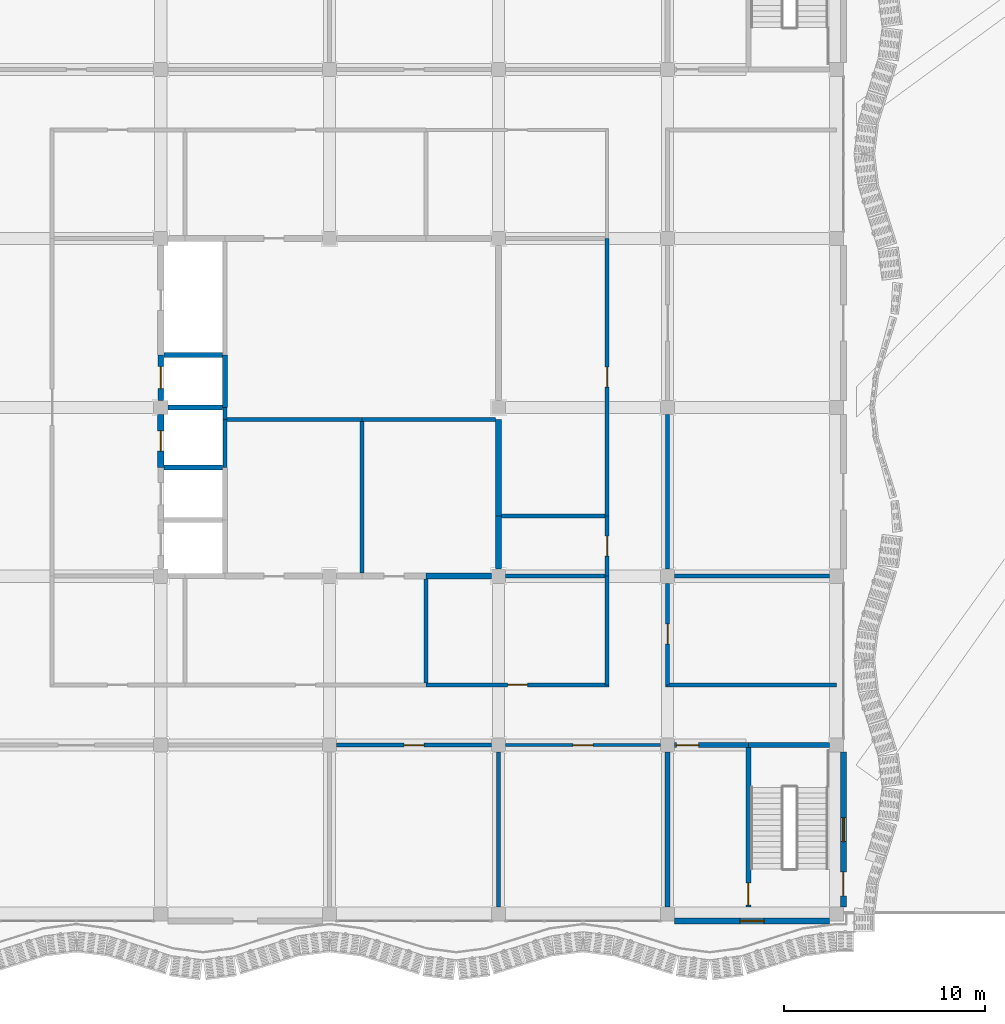
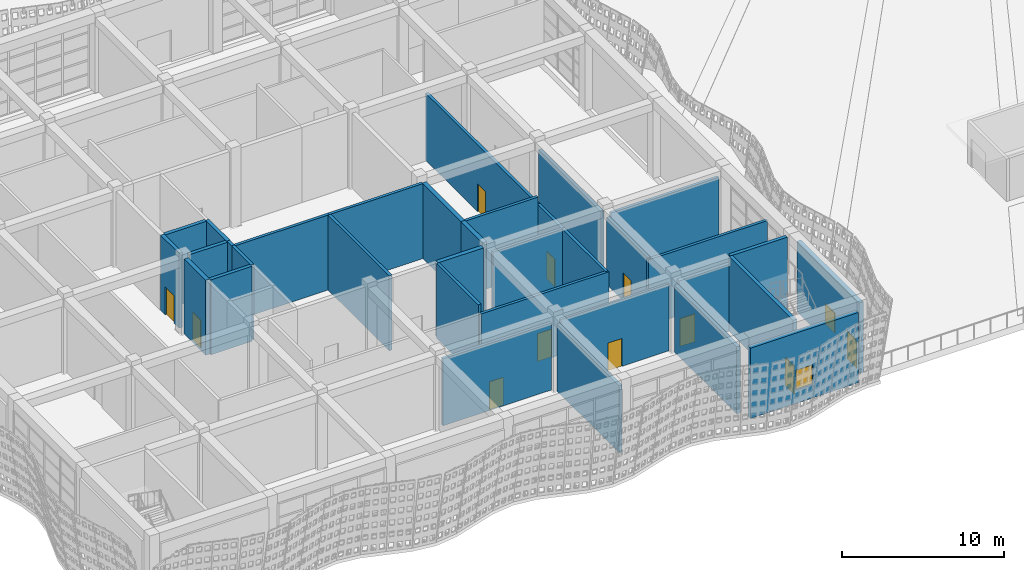
# One storey, part 99 of 210: 34 walls, 11 doors, 2 windows, 13 openings.
"""IFC4 building model written with IfcOpenShell, lengths in metres."""

from ifc_helpers import new_model, si_unit, direction, frame, frame_2d, origin, place, context, subcontext, project, spatial, rectangle, extrude, material, layer, layer_set, type_object, element, fill, save


model = new_model("IFC4")

# Units and contexts
model_context = context("Model", 3, precision=1e-05, world=origin(), true_north=direction((0.0, 1.0)))
body_context = subcontext(model_context, "Body", "Model", "MODEL_VIEW")
ifc_project = project(units=[si_unit("LENGTHUNIT", "METRE"), si_unit("AREAUNIT", "SQUARE_METRE"), si_unit("VOLUMEUNIT", "CUBIC_METRE"), si_unit("PLANEANGLEUNIT", "RADIAN"), si_unit("MASSUNIT", "GRAM", prefix="KILO")], contexts=[model_context])

# Site, building, storey
site_placement = place(None, origin())
site = spatial("IfcSite", under=ifc_project, at=site_placement, CompositionType="ELEMENT")
building_placement = place(site_placement, origin())
building = spatial("IfcBuilding", under=site, at=building_placement, Name="Rain Tree Exposition and Congress Centre", CompositionType="ELEMENT")
storey_placement = place(building_placement, origin())
storey = spatial("IfcBuildingStorey", under=building, at=storey_placement, Name="L00", CompositionType="ELEMENT", Elevation=0.0)

# Wall, opening, door
ifc_material_1 = material(Name="Plasterboard on steel stud", Category="steel")
ifc_layer_1 = layer(ifc_material_1, 0.199951171875)
ifc_layer_set_1 = layer_set([ifc_layer_1], Name="Plasterboard on steel stud")
wall_type_1 = type_object("IfcWallType", Name="Wing acoustic partition 200", PredefinedType="PARTITIONING", material=ifc_layer_set_1)
wall_1_placement = place(storey_placement, frame((30.0, 11.39990234375, 0.0), z_axis=(0.0, 0.0, 1.0), x_axis=(1.0, 0.0, 0.0)))
wall_1 = element("IfcWall", 1, at=wall_1_placement, inside=storey, type_object=wall_type_1, Name="wing/wall/L00/012", PredefinedType="PARTITIONING", context=body_context, shape_type="SweptSolid", body=[
    extrude(rectangle(XDim=9.10009765625, YDim=0.199951171875, at=frame_2d((4.550048828125, 0.0))), origin(), (0.0, 0.0, 1.0), 5.050048828125),
])
opening_1_placement = place(wall_1_placement, frame((4.050048828125, 0.0, 0.0)))
opening_1 = element("IfcOpeningElement", 2, at=opening_1_placement, cuts=wall_1, Name="Opening DW132", PredefinedType="OPENING", context=body_context, shape_type="SweptSolid", body=[
    extrude(rectangle(XDim=1.0, YDim=2.10009765625, at=frame_2d((0.5, 1.050048828125))), frame((0.0, 0.10009765625, 0.0), z_axis=(0.0, -1.0, 0.0), x_axis=(1.0, 0.0, 0.0)), (0.0, 0.0, 1.0), 0.199951171875),
])
ifc_material_2 = material(Name="Timber door leaf", Category="wood")
door_type_1 = type_object("IfcDoorType", Name="Wing door FD30S 1000x2100", OperationType="NOTDEFINED", PredefinedType="DOOR", material=ifc_material_2)
door_1_placement = place(opening_1_placement, origin())
door_1 = element("IfcDoor", 3, at=door_1_placement, inside=storey, type_object=door_type_1, Name="Door DW132", OperationType="SINGLE_SWING_LEFT", OverallHeight=2.10009765625, OverallWidth=1.0, PredefinedType="DOOR", context=body_context, shape_type="SweptSolid", body=[
    extrude(rectangle(XDim=1.0, YDim=2.10009765625, at=frame_2d((0.5, 1.050048828125))), frame((0.0, 0.02490234375, 0.0), z_axis=(0.0, -1.0, 0.0), x_axis=(1.0, 0.0, 0.0)), (0.0, 0.0, 1.0), 0.050048828125),
])
fill(opening_1, door_1)

# Walls
wall_2_placement = place(storey_placement, frame((41.89990234375, 11.39990234375, 0.0), z_axis=(0.0, 0.0, 1.0), x_axis=(1.0, 0.0, 0.0)))
element("IfcWall", 4, at=wall_2_placement, inside=storey, type_object=wall_type_1, Name="wing/wall/L00/013", PredefinedType="PARTITIONING", context=body_context, shape_type="SweptSolid", body=[
    extrude(rectangle(XDim=8.5, YDim=0.199951171875, at=frame_2d((4.25, 0.0))), origin(), (0.0, 0.0, 1.0), 4.949951171875),
])
wall_3_placement = place(storey_placement, frame((33.949951171875, 16.800048828125, 0.0), z_axis=(0.0, 0.0, 1.0), x_axis=(1.0, 0.0, 0.0)))
element("IfcWall", 5, at=wall_3_placement, inside=storey, type_object=wall_type_1, Name="wing/wall/L00/021", PredefinedType="PARTITIONING", context=body_context, shape_type="SweptSolid", body=[
    extrude(rectangle(XDim=4.949951171875, YDim=0.199951171875, at=frame_2d((2.47509765625, 0.0))), origin(), (0.0, 0.0, 1.0), 5.050048828125),
])
wall_4_placement = place(storey_placement, frame((42.35009765625, 16.800048828125, 0.0), z_axis=(0.0, 0.0, 1.0), x_axis=(1.0, 0.0, 0.0)))
element("IfcWall", 6, at=wall_4_placement, inside=storey, type_object=wall_type_1, Name="wing/wall/L00/022", PredefinedType="PARTITIONING", context=body_context, shape_type="SweptSolid", body=[
    extrude(rectangle(XDim=7.699951171875, YDim=0.199951171875, at=frame_2d((3.85009765625, 0.0))), origin(), (0.0, 0.0, 1.0), 5.050048828125),
])
wall_5_placement = place(storey_placement, frame((26.800048828125, 16.949951171875, 0.0), z_axis=(0.0, 0.0, 1.0), x_axis=(0.0, 1.0, 0.0)))
element("IfcWall", 7, at=wall_5_placement, inside=storey, type_object=wall_type_1, Name="wing/wall/L00/077", PredefinedType="PARTITIONING", context=body_context, shape_type="SweptSolid", body=[
    extrude(rectangle(XDim=7.550048828125, YDim=0.199951171875, at=frame_2d((3.77490234375, 0.0))), origin(), (0.0, 0.0, 1.0), 5.64990234375),
])
wall_6_placement = place(storey_placement, frame((30.0, 11.5, 0.0), z_axis=(0.0, 0.0, 1.0), x_axis=(0.0, 1.0, 0.0)))
element("IfcWall", 8, at=wall_6_placement, inside=storey, type_object=wall_type_1, Name="wing/wall/L00/078", PredefinedType="PARTITIONING", context=body_context, shape_type="SweptSolid", body=[
    extrude(rectangle(XDim=5.14990234375, YDim=0.199951171875, at=frame_2d((2.574951171875, 0.0))), origin(), (0.0, 0.0, 1.0), 5.64990234375),
])
wall_7_placement = place(storey_placement, frame((39.0, 11.39990234375, 0.0), z_axis=(0.0, 0.0, 1.0), x_axis=(0.0, 1.0, 0.0)))
element("IfcWall", 9, at=wall_7_placement, inside=storey, type_object=wall_type_1, Name="wing/wall/L00/084", PredefinedType="PARTITIONING", context=body_context, shape_type="SweptSolid", body=[
    extrude(rectangle(XDim=5.400146484375, YDim=0.199951171875, at=frame_2d((2.7001953125, 0.0))), origin(), (0.0, 0.0, 1.0), 5.050048828125),
])

# Wall, opening, door
wall_8_placement = place(storey_placement, frame((39.0, 16.800048828125, 0.0), z_axis=(0.0, 0.0, 1.0), x_axis=(0.0, 1.0, 0.0)))
wall_8 = element("IfcWall", 10, at=wall_8_placement, inside=storey, type_object=wall_type_1, Name="wing/wall/L00/085", PredefinedType="PARTITIONING", context=body_context, shape_type="SweptSolid", body=[
    extrude(rectangle(XDim=3.0, YDim=0.199951171875, at=frame_2d((1.5, 0.0))), origin(), (0.0, 0.0, 1.0), 5.050048828125),
])
opening_2_placement = place(wall_8_placement, frame((1.0, 0.0, 0.0)))
opening_2 = element("IfcOpeningElement", 11, at=opening_2_placement, cuts=wall_8, Name="Opening DW121", PredefinedType="OPENING", context=body_context, shape_type="SweptSolid", body=[
    extrude(rectangle(XDim=1.0, YDim=2.10009765625, at=frame_2d((0.5, 1.050048828125))), frame((0.0, 0.10009765625, 0.0), z_axis=(0.0, -1.0, 0.0), x_axis=(1.0, 0.0, 0.0)), (0.0, 0.0, 1.0), 0.199951171875),
])
door_2_placement = place(opening_2_placement, origin())
door_2 = element("IfcDoor", 12, at=door_2_placement, inside=storey, type_object=door_type_1, Name="Door DW121", OperationType="SINGLE_SWING_LEFT", OverallHeight=2.10009765625, OverallWidth=1.0, PredefinedType="DOOR", context=body_context, shape_type="SweptSolid", body=[
    extrude(rectangle(XDim=1.0, YDim=2.10009765625, at=frame_2d((0.5, 1.050048828125))), frame((0.0, 0.02490234375, 0.0), z_axis=(0.0, -1.0, 0.0), x_axis=(1.0, 0.0, 0.0)), (0.0, 0.0, 1.0), 0.050048828125),
])
fill(opening_2, door_2)

wall_9_placement = place(storey_placement, frame((42.0, 11.39990234375, 0.0), z_axis=(0.0, 0.0, 1.0), x_axis=(0.0, 1.0, 0.0)))
wall_9 = element("IfcWall", 13, at=wall_9_placement, inside=storey, type_object=wall_type_1, Name="wing/wall/L00/089", PredefinedType="PARTITIONING", context=body_context, shape_type="SweptSolid", body=[
    extrude(rectangle(XDim=5.050048828125, YDim=0.199951171875, at=frame_2d((2.52490234375, 0.0))), origin(), (0.0, 0.0, 1.0), 5.050048828125),
])
opening_3_placement = place(wall_9_placement, frame((2.02490234375, 0.0, 0.0)))
opening_3 = element("IfcOpeningElement", 14, at=opening_3_placement, cuts=wall_9, Name="Opening DW125", PredefinedType="OPENING", context=body_context, shape_type="SweptSolid", body=[
    extrude(rectangle(XDim=1.0, YDim=2.10009765625, at=frame_2d((0.5, 1.050048828125))), frame((0.0, 0.10009765625, 0.0), z_axis=(0.0, -1.0, 0.0), x_axis=(1.0, 0.0, 0.0)), (0.0, 0.0, 1.0), 0.199951171875),
])
door_3_placement = place(opening_3_placement, origin())
door_3 = element("IfcDoor", 15, at=door_3_placement, inside=storey, type_object=door_type_1, Name="Door DW125", OperationType="SINGLE_SWING_LEFT", OverallHeight=2.10009765625, OverallWidth=1.0, PredefinedType="DOOR", context=body_context, shape_type="SweptSolid", body=[
    extrude(rectangle(XDim=1.0, YDim=2.10009765625, at=frame_2d((0.5, 1.050048828125))), frame((0.0, 0.02490234375, 0.0), z_axis=(0.0, -1.0, 0.0), x_axis=(1.0, 0.0, 0.0)), (0.0, 0.0, 1.0), 0.050048828125),
])
fill(opening_3, door_3)

# Walls
wall_10_placement = place(storey_placement, frame((42.0, 17.14990234375, 0.0), z_axis=(0.0, 0.0, 1.0), x_axis=(0.0, 1.0, 0.0)))
element("IfcWall", 16, at=wall_10_placement, inside=storey, type_object=wall_type_1, Name="wing/wall/L00/090", PredefinedType="PARTITIONING", context=body_context, shape_type="SweptSolid", body=[
    extrude(rectangle(XDim=7.7001953125, YDim=0.199951171875, at=frame_2d((3.85009765625, 0.0))), origin(), (0.0, 0.0, 1.0), 5.050048828125),
])
ifc_material_3 = material(Name="Concrete C40/50", Category="concrete")
ifc_layer_2 = layer(ifc_material_3, 0.300048828125)
ifc_layer_set_2 = layer_set([ifc_layer_2], Name="Concrete C40/50")
wall_type_2 = type_object("IfcWallType", Name="Wing core wall 300", PredefinedType="SHEAR", material=ifc_layer_set_2)
wall_11_placement = place(storey_placement, frame((30.0, 16.800048828125, 0.0), z_axis=(0.0, 0.0, 1.0), x_axis=(1.0, 0.0, 0.0)))
element("IfcWall", 17, at=wall_11_placement, inside=storey, type_object=wall_type_2, Name="wing/wall/L00/020", PredefinedType="SHEAR", context=body_context, shape_type="SweptSolid", body=[
    extrude(rectangle(XDim=3.25, YDim=0.300048828125, at=frame_2d((1.625, 0.0))), origin(), (0.0, 0.0, 1.0), 5.64990234375),
])

# Wall, opening, door
wall_12_placement = place(storey_placement, frame((16.800048828125, 22.199951171875, 0.0), z_axis=(0.0, 0.0, 1.0), x_axis=(0.0, 1.0, 0.0)))
wall_12 = element("IfcWall", 18, at=wall_12_placement, inside=storey, type_object=wall_type_2, Name="wing/wall/L00/064", PredefinedType="SHEAR", context=body_context, shape_type="SweptSolid", body=[
    extrude(rectangle(XDim=2.650146484375, YDim=0.300048828125, at=frame_2d((1.3251953125, 0.0))), origin(), (0.0, 0.0, 1.0), 5.64990234375),
])
opening_4_placement = place(wall_12_placement, frame((0.824951171875, 0.0, 0.0)))
opening_4 = element("IfcOpeningElement", 19, at=opening_4_placement, cuts=wall_12, Name="Opening DW111", PredefinedType="OPENING", context=body_context, shape_type="SweptSolid", body=[
    extrude(rectangle(XDim=1.0, YDim=2.10009765625, at=frame_2d((0.5, 1.050048828125))), frame((0.0, 0.14990234375, 0.0), z_axis=(0.0, -1.0, 0.0), x_axis=(1.0, 0.0, 0.0)), (0.0, 0.0, 1.0), 0.300048828125),
])
ifc_material_4 = material(Name="Timber door leaf", Category="wood")
door_type_2 = type_object("IfcDoorType", Name="Wing riser access door FD60 1000x2100", OperationType="NOTDEFINED", PredefinedType="DOOR", material=ifc_material_4)
door_4_placement = place(opening_4_placement, origin())
door_4 = element("IfcDoor", 20, at=door_4_placement, inside=storey, type_object=door_type_2, Name="Riser access door DW111", OperationType="SINGLE_SWING_LEFT", OverallHeight=2.10009765625, OverallWidth=1.0, PredefinedType="DOOR", context=body_context, shape_type="SweptSolid", body=[
    extrude(rectangle(XDim=1.0, YDim=2.10009765625, at=frame_2d((0.5, 1.050048828125))), frame((0.0, 0.02490234375, 0.0), z_axis=(0.0, -1.0, 0.0), x_axis=(1.0, 0.0, 0.0)), (0.0, 0.0, 1.0), 0.050048828125),
])
fill(opening_4, door_4)

# Walls
wall_13_placement = place(storey_placement, frame((33.60009765625, 17.14990234375, 0.0), z_axis=(0.0, 0.0, 1.0), x_axis=(0.0, 1.0, 0.0)))
element("IfcWall", 21, at=wall_13_placement, inside=storey, type_object=wall_type_2, Name="wing/wall/L00/081", PredefinedType="SHEAR", context=body_context, shape_type="SweptSolid", body=[
    extrude(rectangle(XDim=2.650146484375, YDim=0.300048828125, at=frame_2d((1.3251953125, 0.0))), origin(), (0.0, 0.0, 1.0), 5.64990234375),
])
wall_14_placement = place(storey_placement, frame((33.60009765625, 19.800048828125, 0.0), z_axis=(0.0, 0.0, 1.0), x_axis=(0.0, 1.0, 0.0)))
element("IfcWall", 22, at=wall_14_placement, inside=storey, type_object=wall_type_2, Name="wing/wall/L00/082", PredefinedType="SHEAR", context=body_context, shape_type="SweptSolid", body=[
    extrude(rectangle(XDim=4.800048828125, YDim=0.300048828125, at=frame_2d((2.39990234375, 0.0))), origin(), (0.0, 0.0, 1.0), 5.64990234375),
])

# Wall, opening, window
ifc_material_5 = material(Name="Insulated cavity wall")
ifc_layer_3 = layer(ifc_material_5, 0.300048828125)
ifc_layer_set_3 = layer_set([ifc_layer_3], Name="Insulated cavity wall")
wall_type_3 = type_object("IfcWallType", Name="Wing external wall 300", PredefinedType="SOLIDWALL", material=ifc_layer_set_3)
wall_15_placement = place(storey_placement, frame((42.35009765625, -0.35009765625, 0.0), z_axis=(0.0, 0.0, 1.0), x_axis=(1.0, 0.0, 0.0)))
wall_15 = element("IfcWall", 23, at=wall_15_placement, inside=storey, type_object=wall_type_3, Name="wing/facade/L00/S5", PredefinedType="SOLIDWALL", context=body_context, shape_type="SweptSolid", body=[
    extrude(rectangle(XDim=7.699951171875, YDim=0.300048828125, at=frame_2d((3.85009765625, 0.0))), origin(), (0.0, 0.0, 1.0), 5.300048828125),
])
opening_5_placement = place(wall_15_placement, frame((3.25, 0.0, 1.0)))
opening_5 = element("IfcOpeningElement", 24, at=opening_5_placement, cuts=wall_15, Name="Opening WW102", PredefinedType="OPENING", context=body_context, shape_type="SweptSolid", body=[
    extrude(rectangle(XDim=1.199951171875, YDim=1.5, at=frame_2d((0.60009765625, 0.75))), frame((0.0, 0.14990234375, 0.0), z_axis=(0.0, -1.0, 0.0), x_axis=(1.0, 0.0, 0.0)), (0.0, 0.0, 1.0), 0.300048828125),
])
ifc_material_6 = material(Name="Aluminium framed glazing", Category="aluminium")
window_type = type_object("IfcWindowType", Name="Wing window 1200x1500", PartitioningType="SINGLE_PANEL", PredefinedType="WINDOW", material=ifc_material_6)
window_1_placement = place(opening_5_placement, origin())
window_1 = element("IfcWindow", 25, at=window_1_placement, inside=storey, type_object=window_type, Name="wing/window/L00/02", OverallHeight=1.5, OverallWidth=1.199951171875, PartitioningType="SINGLE_PANEL", PredefinedType="WINDOW", context=body_context, shape_type="SweptSolid", body=[
    extrude(rectangle(XDim=1.199951171875, YDim=1.5, at=frame_2d((0.60009765625, 0.75))), frame((0.0, 0.030029296875, 0.0), z_axis=(0.0, -1.0, 0.0), x_axis=(1.0, 0.0, 0.0)), (0.0, 0.0, 1.0), 0.06005859375),
])
fill(opening_5, window_1)

# Wall, openings, door, window
wall_16_placement = place(storey_placement, frame((50.75, 0.35009765625, 0.0), z_axis=(0.0, 0.0, 1.0), x_axis=(0.0, 1.0, 0.0)))
wall_16 = element("IfcWall", 26, at=wall_16_placement, inside=storey, type_object=wall_type_3, Name="wing/facade/L00/E0", PredefinedType="SOLIDWALL", context=body_context, shape_type="SweptSolid", body=[
    extrude(rectangle(XDim=7.699951171875, YDim=0.300048828125, at=frame_2d((3.85009765625, 0.0))), origin(), (0.0, 0.0, 1.0), 5.300048828125),
])
opening_6_placement = place(wall_16_placement, frame((3.25, 0.0, 1.0)))
opening_6 = element("IfcOpeningElement", 27, at=opening_6_placement, cuts=wall_16, Name="Opening WW107", PredefinedType="OPENING", context=body_context, shape_type="SweptSolid", body=[
    extrude(rectangle(XDim=1.199951171875, YDim=1.5, at=frame_2d((0.60009765625, 0.75))), frame((0.0, 0.14990234375, 0.0), z_axis=(0.0, -1.0, 0.0), x_axis=(1.0, 0.0, 0.0)), (0.0, 0.0, 1.0), 0.300048828125),
])
opening_7_placement = place(wall_16_placement, frame((0.550048828125, 0.0, 0.0)))
opening_7 = element("IfcOpeningElement", 28, at=opening_7_placement, cuts=wall_16, Name="Opening DW173", PredefinedType="OPENING", context=body_context, shape_type="SweptSolid", body=[
    extrude(rectangle(XDim=1.199951171875, YDim=2.10009765625, at=frame_2d((0.60009765625, 1.050048828125))), frame((0.0, 0.14990234375, 0.0), z_axis=(0.0, -1.0, 0.0), x_axis=(1.0, 0.0, 0.0)), (0.0, 0.0, 1.0), 0.300048828125),
])
ifc_material_7 = material(Name="Steel door leaf", Category="steel")
door_type_3 = type_object("IfcDoorType", Name="Wing exit door 1200x2100", OperationType="NOTDEFINED", PredefinedType="DOOR", material=ifc_material_7)
door_5_placement = place(opening_7_placement, frame((1.199951171875, 0.0, 0.0), z_axis=(0.0, 0.0, 1.0), x_axis=(-1.0, 0.0, 0.0)))
door_5 = element("IfcDoor", 29, at=door_5_placement, inside=storey, type_object=door_type_3, Name="Door DW173", OperationType="SINGLE_SWING_RIGHT", OverallHeight=2.10009765625, OverallWidth=1.199951171875, PredefinedType="DOOR", context=body_context, shape_type="SweptSolid", body=[
    extrude(rectangle(XDim=1.199951171875, YDim=2.10009765625, at=frame_2d((0.60009765625, 1.050048828125))), frame((0.0, 0.02490234375, 0.0), z_axis=(0.0, -1.0, 0.0), x_axis=(1.0, 0.0, 0.0)), (0.0, 0.0, 1.0), 0.050048828125),
])
fill(opening_7, door_5)
window_2_placement = place(opening_6_placement, origin())
window_2 = element("IfcWindow", 30, at=window_2_placement, inside=storey, type_object=window_type, Name="wing/window/L00/07", OverallHeight=1.5, OverallWidth=1.199951171875, PartitioningType="SINGLE_PANEL", PredefinedType="WINDOW", context=body_context, shape_type="SweptSolid", body=[
    extrude(rectangle(XDim=1.199951171875, YDim=1.5, at=frame_2d((0.60009765625, 0.75))), frame((0.0, 0.030029296875, 0.0), z_axis=(0.0, -1.0, 0.0), x_axis=(1.0, 0.0, 0.0)), (0.0, 0.0, 1.0), 0.06005859375),
])
fill(opening_6, window_2)

# Wall, opening, door
ifc_material_8 = material(Name="Dense blockwork", Category="masonry")
ifc_layer_4 = layer(ifc_material_8, 0.199951171875)
ifc_layer_set_4 = layer_set([ifc_layer_4], Name="Dense blockwork")
wall_type_4 = type_object("IfcWallType", Name="Wing kitchen wall 200", PredefinedType="SOLIDWALL", material=ifc_layer_set_4)
wall_17_placement = place(storey_placement, frame((25.550048828125, 8.39990234375, 0.0), z_axis=(0.0, 0.0, 1.0), x_axis=(1.0, 0.0, 0.0)))
wall_17 = element("IfcWall", 31, at=wall_17_placement, inside=storey, type_object=wall_type_4, Name="wing/wall/L00/005", PredefinedType="SOLIDWALL", context=body_context, shape_type="SweptSolid", body=[
    extrude(rectangle(XDim=7.699951171875, YDim=0.199951171875, at=frame_2d((3.85009765625, 0.0))), origin(), (0.0, 0.0, 1.0), 5.050048828125),
])
opening_8_placement = place(wall_17_placement, frame((3.35009765625, 0.0, 0.0)))
opening_8 = element("IfcOpeningElement", 32, at=opening_8_placement, cuts=wall_17, Name="Opening DW123", PredefinedType="OPENING", context=body_context, shape_type="SweptSolid", body=[
    extrude(rectangle(XDim=1.0, YDim=2.10009765625, at=frame_2d((0.5, 1.050048828125))), frame((0.0, 0.10009765625, 0.0), z_axis=(0.0, -1.0, 0.0), x_axis=(1.0, 0.0, 0.0)), (0.0, 0.0, 1.0), 0.199951171875),
])
ifc_material_9 = material(Name="Timber door leaf", Category="wood")
door_type_4 = type_object("IfcDoorType", Name="Wing door FD60 1000x2100", OperationType="NOTDEFINED", PredefinedType="DOOR", material=ifc_material_9)
door_6_placement = place(opening_8_placement, origin())
door_6 = element("IfcDoor", 33, at=door_6_placement, inside=storey, type_object=door_type_4, Name="Door DW123", OperationType="SINGLE_SWING_LEFT", OverallHeight=2.10009765625, OverallWidth=1.0, PredefinedType="DOOR", context=body_context, shape_type="SweptSolid", body=[
    extrude(rectangle(XDim=1.0, YDim=2.10009765625, at=frame_2d((0.5, 1.050048828125))), frame((0.0, 0.02490234375, 0.0), z_axis=(0.0, -1.0, 0.0), x_axis=(1.0, 0.0, 0.0)), (0.0, 0.0, 1.0), 0.050048828125),
])
fill(opening_8, door_6)

# Walls
wall_18_placement = place(storey_placement, frame((33.75, 19.800048828125, 0.0), z_axis=(0.0, 0.0, 1.0), x_axis=(1.0, 0.0, 0.0)))
element("IfcWall", 34, at=wall_18_placement, inside=storey, type_object=wall_type_4, Name="wing/wall/L00/024", PredefinedType="SOLIDWALL", context=body_context, shape_type="SweptSolid", body=[
    extrude(rectangle(XDim=5.14990234375, YDim=0.199951171875, at=frame_2d((2.574951171875, 0.0))), origin(), (0.0, 0.0, 1.0), 5.64990234375),
])
wall_19_placement = place(storey_placement, frame((33.60009765625, 0.35009765625, 0.0), z_axis=(0.0, 0.0, 1.0), x_axis=(0.0, 1.0, 0.0)))
element("IfcWall", 35, at=wall_19_placement, inside=storey, type_object=wall_type_4, Name="wing/wall/L00/080", PredefinedType="SOLIDWALL", context=body_context, shape_type="SweptSolid", body=[
    extrude(rectangle(XDim=7.699951171875, YDim=0.199951171875, at=frame_2d((3.85009765625, 0.0))), origin(), (0.0, 0.0, 1.0), 5.050048828125),
])

# Wall, opening, door
wall_20_placement = place(storey_placement, frame((39.0, 19.800048828125, 0.0), z_axis=(0.0, 0.0, 1.0), x_axis=(0.0, 1.0, 0.0)))
wall_20 = element("IfcWall", 36, at=wall_20_placement, inside=storey, type_object=wall_type_4, Name="wing/wall/L00/086", PredefinedType="SOLIDWALL", context=body_context, shape_type="SweptSolid", body=[
    extrude(rectangle(XDim=13.800048828125, YDim=0.199951171875, at=frame_2d((6.89990234375, 0.0))), origin(), (0.0, 0.0, 1.0), 5.050048828125),
])
opening_9_placement = place(wall_20_placement, frame((6.39990234375, 0.0, 0.0)))
opening_9 = element("IfcOpeningElement", 37, at=opening_9_placement, cuts=wall_20, Name="Opening DW135", PredefinedType="OPENING", context=body_context, shape_type="SweptSolid", body=[
    extrude(rectangle(XDim=1.0, YDim=2.10009765625, at=frame_2d((0.5, 1.050048828125))), frame((0.0, 0.10009765625, 0.0), z_axis=(0.0, -1.0, 0.0), x_axis=(1.0, 0.0, 0.0)), (0.0, 0.0, 1.0), 0.199951171875),
])
door_7_placement = place(opening_9_placement, origin())
door_7 = element("IfcDoor", 38, at=door_7_placement, inside=storey, type_object=door_type_4, Name="Door DW135", OperationType="SINGLE_SWING_RIGHT", OverallHeight=2.10009765625, OverallWidth=1.0, PredefinedType="DOOR", context=body_context, shape_type="SweptSolid", body=[
    extrude(rectangle(XDim=1.0, YDim=2.10009765625, at=frame_2d((0.5, 1.050048828125))), frame((0.0, 0.02490234375, 0.0), z_axis=(0.0, -1.0, 0.0), x_axis=(1.0, 0.0, 0.0)), (0.0, 0.0, 1.0), 0.050048828125),
])
fill(opening_9, door_7)

# Walls
ifc_material_10 = material(Name="Concrete C40/50", Category="concrete")
ifc_layer_5 = layer(ifc_material_10, 0.25)
ifc_layer_set_5 = layer_set([ifc_layer_5], Name="Concrete C40/50")
wall_type_5 = type_object("IfcWallType", Name="Wing lift shaft wall 250", PredefinedType="SHEAR", material=ifc_layer_set_5)
wall_21_placement = place(storey_placement, frame((16.949951171875, 22.199951171875, 0.0), z_axis=(0.0, 0.0, 1.0), x_axis=(1.0, 0.0, 0.0)))
element("IfcWall", 39, at=wall_21_placement, inside=storey, type_object=wall_type_5, Name="wing/wall/L00/025", PredefinedType="SHEAR", context=body_context, shape_type="SweptSolid", body=[
    extrude(rectangle(XDim=2.925048828125, YDim=0.25, at=frame_2d((1.46240234375, 0.0))), origin(), (0.0, 0.0, 1.0), 5.64990234375),
])
wall_22_placement = place(storey_placement, frame((17.14990234375, 25.199951171875, 0.0), z_axis=(0.0, 0.0, 1.0), x_axis=(1.0, 0.0, 0.0)))
element("IfcWall", 40, at=wall_22_placement, inside=storey, type_object=wall_type_5, Name="wing/wall/L00/029", PredefinedType="SHEAR", context=body_context, shape_type="SweptSolid", body=[
    extrude(rectangle(XDim=2.72509765625, YDim=0.25, at=frame_2d((1.362548828125, 0.0))), origin(), (0.0, 0.0, 1.0), 5.64990234375),
])
wall_23_placement = place(storey_placement, frame((16.949951171875, 27.800048828125, 0.0), z_axis=(0.0, 0.0, 1.0), x_axis=(1.0, 0.0, 0.0)))
element("IfcWall", 41, at=wall_23_placement, inside=storey, type_object=wall_type_5, Name="wing/wall/L00/030", PredefinedType="SHEAR", context=body_context, shape_type="SweptSolid", body=[
    extrude(rectangle(XDim=2.925048828125, YDim=0.25, at=frame_2d((1.46240234375, 0.0))), origin(), (0.0, 0.0, 1.0), 5.64990234375),
])

# Wall, opening, door
wall_24_placement = place(storey_placement, frame((16.800048828125, 25.550048828125, 0.0), z_axis=(0.0, 0.0, 1.0), x_axis=(0.0, 1.0, 0.0)))
wall_24 = element("IfcWall", 42, at=wall_24_placement, inside=storey, type_object=wall_type_5, Name="wing/wall/L00/065", PredefinedType="SHEAR", context=body_context, shape_type="SweptSolid", body=[
    extrude(rectangle(XDim=2.25, YDim=0.25, at=frame_2d((1.125, 0.0))), origin(), (0.0, 0.0, 1.0), 5.64990234375),
])
opening_10_placement = place(wall_24_placement, frame((0.574951171875, 0.0, 0.0)))
opening_10 = element("IfcOpeningElement", 43, at=opening_10_placement, cuts=wall_24, Name="Opening DW112", PredefinedType="OPENING", context=body_context, shape_type="SweptSolid", body=[
    extrude(rectangle(XDim=1.10009765625, YDim=2.10009765625, at=frame_2d((0.550048828125, 1.050048828125))), frame((0.0, 0.125, 0.0), z_axis=(0.0, -1.0, 0.0), x_axis=(1.0, 0.0, 0.0)), (0.0, 0.0, 1.0), 0.25),
])
ifc_material_11 = material(Name="Stainless steel", Category="steel")
door_type_5 = type_object("IfcDoorType", Name="Lift landing door 1100x2100", OperationType="DOUBLE_DOOR_SLIDING", PredefinedType="DOOR", material=ifc_material_11)
door_8_placement = place(opening_10_placement, origin())
door_8 = element("IfcDoor", 44, at=door_8_placement, inside=storey, type_object=door_type_5, Name="Landing door DW112", OperationType="DOUBLE_DOOR_SLIDING", OverallHeight=2.10009765625, OverallWidth=1.10009765625, PredefinedType="DOOR", context=body_context, shape_type="SweptSolid", body=[
    extrude(rectangle(XDim=1.10009765625, YDim=2.10009765625, at=frame_2d((0.550048828125, 1.050048828125))), frame((0.0, 0.02490234375, 0.0), z_axis=(0.0, -1.0, 0.0), x_axis=(1.0, 0.0, 0.0)), (0.0, 0.0, 1.0), 0.050048828125),
])
fill(opening_10, door_8)

# Walls
wall_25_placement = place(storey_placement, frame((20.0, 25.199951171875, 0.0), z_axis=(0.0, 0.0, 1.0), x_axis=(0.0, 1.0, 0.0)))
element("IfcWall", 45, at=wall_25_placement, inside=storey, type_object=wall_type_5, Name="wing/wall/L00/073", PredefinedType="SHEAR", context=body_context, shape_type="SweptSolid", body=[
    extrude(rectangle(XDim=2.60009765625, YDim=0.25, at=frame_2d((1.300048828125, 0.0))), origin(), (0.0, 0.0, 1.0), 5.64990234375),
])
ifc_material_12 = material(Name="Dense blockwork", Category="masonry")
ifc_layer_6 = layer(ifc_material_12, 0.199951171875)
ifc_layer_set_6 = layer_set([ifc_layer_6], Name="Dense blockwork")
wall_type_6 = type_object("IfcWallType", Name="Wing plant room wall 200", PredefinedType="SOLIDWALL", material=ifc_layer_set_6)
wall_26_placement = place(storey_placement, frame((20.10009765625, 24.60009765625, 0.0), z_axis=(0.0, 0.0, 1.0), x_axis=(1.0, 0.0, 0.0)))
element("IfcWall", 46, at=wall_26_placement, inside=storey, type_object=wall_type_6, Name="wing/wall/L00/026", PredefinedType="SOLIDWALL", context=body_context, shape_type="SweptSolid", body=[
    extrude(rectangle(XDim=6.699951171875, YDim=0.199951171875, at=frame_2d((3.35009765625, 0.0))), origin(), (0.0, 0.0, 1.0), 5.64990234375),
])
wall_27_placement = place(storey_placement, frame((26.800048828125, 24.60009765625, 0.0), z_axis=(0.0, 0.0, 1.0), x_axis=(1.0, 0.0, 0.0)))
element("IfcWall", 47, at=wall_27_placement, inside=storey, type_object=wall_type_6, Name="wing/wall/L00/027", PredefinedType="SOLIDWALL", context=body_context, shape_type="SweptSolid", body=[
    extrude(rectangle(XDim=6.64990234375, YDim=0.199951171875, at=frame_2d((3.324951171875, 0.0))), origin(), (0.0, 0.0, 1.0), 5.64990234375),
])
wall_28_placement = place(storey_placement, frame((20.0, 24.60009765625, 0.0), z_axis=(0.0, 0.0, 1.0), x_axis=(0.0, 1.0, 0.0)))
element("IfcWall", 48, at=wall_28_placement, inside=storey, type_object=wall_type_6, Name="wing/wall/L00/072", PredefinedType="SOLIDWALL", context=body_context, shape_type="SweptSolid", body=[
    extrude(rectangle(XDim=0.599853515625, YDim=0.199951171875, at=frame_2d((0.2998046875, 0.0))), origin(), (0.0, 0.0, 1.0), 5.64990234375),
])
ifc_material_13 = material(Name="Dense blockwork", Category="masonry")
ifc_layer_7 = layer(ifc_material_13, 0.199951171875)
ifc_layer_set_7 = layer_set([ifc_layer_7], Name="Dense blockwork")
wall_type_7 = type_object("IfcWallType", Name="Wing riser wall 200", PredefinedType="SOLIDWALL", material=ifc_layer_set_7)
wall_29_placement = place(storey_placement, frame((20.0, 22.199951171875, 0.0), z_axis=(0.0, 0.0, 1.0), x_axis=(0.0, 1.0, 0.0)))
element("IfcWall", 49, at=wall_29_placement, inside=storey, type_object=wall_type_7, Name="wing/wall/L00/071", PredefinedType="SOLIDWALL", context=body_context, shape_type="SweptSolid", body=[
    extrude(rectangle(XDim=2.400146484375, YDim=0.199951171875, at=frame_2d((1.2001953125, 0.0))), origin(), (0.0, 0.0, 1.0), 5.64990234375),
])

# Wall, opening, door
ifc_material_14 = material(Name="Concrete C40/50", Category="concrete")
ifc_layer_8 = layer(ifc_material_14, 0.25)
ifc_layer_set_8 = layer_set([ifc_layer_8], Name="Concrete C40/50")
wall_type_8 = type_object("IfcWallType", Name="Wing stair wall 250", PredefinedType="SHEAR", material=ifc_layer_set_8)
wall_30_placement = place(storey_placement, frame((42.35009765625, 8.39990234375, 0.0), z_axis=(0.0, 0.0, 1.0), x_axis=(1.0, 0.0, 0.0)))
wall_30 = element("IfcWall", 50, at=wall_30_placement, inside=storey, type_object=wall_type_8, Name="wing/wall/L00/007", PredefinedType="SHEAR", context=body_context, shape_type="SweptSolid", body=[
    extrude(rectangle(XDim=3.6748046875, YDim=0.25, at=frame_2d((1.83740234375, 0.0))), origin(), (0.0, 0.0, 1.0), 5.050048828125),
])
opening_11_placement = place(wall_30_placement, frame((0.10009765625, 0.0, 0.0)))
opening_11 = element("IfcOpeningElement", 51, at=opening_11_placement, cuts=wall_30, Name="Opening DW104", PredefinedType="OPENING", context=body_context, shape_type="SweptSolid", body=[
    extrude(rectangle(XDim=1.10009765625, YDim=2.10009765625, at=frame_2d((0.550048828125, 1.050048828125))), frame((0.0, 0.125, 0.0), z_axis=(0.0, -1.0, 0.0), x_axis=(1.0, 0.0, 0.0)), (0.0, 0.0, 1.0), 0.25),
])
ifc_material_15 = material(Name="Timber door leaf", Category="wood")
door_type_6 = type_object("IfcDoorType", Name="Wing door FD60 1100x2100", OperationType="NOTDEFINED", PredefinedType="DOOR", material=ifc_material_15)
door_9_placement = place(opening_11_placement, origin())
door_9 = element("IfcDoor", 52, at=door_9_placement, inside=storey, type_object=door_type_6, Name="Door DW104", OperationType="SINGLE_SWING_LEFT", OverallHeight=2.10009765625, OverallWidth=1.10009765625, PredefinedType="DOOR", context=body_context, shape_type="SweptSolid", body=[
    extrude(rectangle(XDim=1.10009765625, YDim=2.10009765625, at=frame_2d((0.550048828125, 1.050048828125))), frame((0.0, 0.02490234375, 0.0), z_axis=(0.0, -1.0, 0.0), x_axis=(1.0, 0.0, 0.0)), (0.0, 0.0, 1.0), 0.050048828125),
])
fill(opening_11, door_9)

# Walls
wall_31_placement = place(storey_placement, frame((46.02490234375, 8.39990234375, 0.0), z_axis=(0.0, 0.0, 1.0), x_axis=(1.0, 0.0, 0.0)))
element("IfcWall", 53, at=wall_31_placement, inside=storey, type_object=wall_type_8, Name="wing/wall/L00/008", PredefinedType="SHEAR", context=body_context, shape_type="SweptSolid", body=[
    extrude(rectangle(XDim=4.025146484375, YDim=0.25, at=frame_2d((2.0126953125, 0.0))), origin(), (0.0, 0.0, 1.0), 5.64990234375),
])
wall_32_placement = place(storey_placement, frame((42.0, 0.35009765625, 0.0), z_axis=(0.0, 0.0, 1.0), x_axis=(0.0, 1.0, 0.0)))
element("IfcWall", 54, at=wall_32_placement, inside=storey, type_object=wall_type_8, Name="wing/wall/L00/088", PredefinedType="SHEAR", context=body_context, shape_type="SweptSolid", body=[
    extrude(rectangle(XDim=7.699951171875, YDim=0.25, at=frame_2d((3.85009765625, 0.0))), origin(), (0.0, 0.0, 1.0), 5.050048828125),
])

# Wall, opening, door
wall_33_placement = place(storey_placement, frame((46.02490234375, 0.35009765625, 0.0), z_axis=(0.0, 0.0, 1.0), x_axis=(0.0, 1.0, 0.0)))
wall_33 = element("IfcWall", 55, at=wall_33_placement, inside=storey, type_object=wall_type_8, Name="wing/wall/L00/094", PredefinedType="SHEAR", context=body_context, shape_type="SweptSolid", body=[
    extrude(rectangle(XDim=7.9248046875, YDim=0.25, at=frame_2d((3.96240234375, 0.0))), origin(), (0.0, 0.0, 1.0), 5.64990234375),
])
opening_12_placement = place(wall_33_placement, frame((0.10009765625, 0.0, 0.0)))
opening_12 = element("IfcOpeningElement", 56, at=opening_12_placement, cuts=wall_33, Name="Opening DW103", PredefinedType="OPENING", context=body_context, shape_type="SweptSolid", body=[
    extrude(rectangle(XDim=1.10009765625, YDim=2.10009765625, at=frame_2d((0.550048828125, 1.050048828125))), frame((0.0, 0.125, 0.0), z_axis=(0.0, -1.0, 0.0), x_axis=(1.0, 0.0, 0.0)), (0.0, 0.0, 1.0), 0.25),
])
door_10_placement = place(opening_12_placement, origin())
door_10 = element("IfcDoor", 57, at=door_10_placement, inside=storey, type_object=door_type_6, Name="Door DW103", OperationType="SINGLE_SWING_LEFT", OverallHeight=2.10009765625, OverallWidth=1.10009765625, PredefinedType="DOOR", context=body_context, shape_type="SweptSolid", body=[
    extrude(rectangle(XDim=1.10009765625, YDim=2.10009765625, at=frame_2d((0.550048828125, 1.050048828125))), frame((0.0, 0.02490234375, 0.0), z_axis=(0.0, -1.0, 0.0), x_axis=(1.0, 0.0, 0.0)), (0.0, 0.0, 1.0), 0.050048828125),
])
fill(opening_12, door_10)

ifc_material_16 = material(Name="Plasterboard on steel stud", Category="steel")
ifc_layer_9 = layer(ifc_material_16, 0.14990234375)
ifc_layer_set_9 = layer_set([ifc_layer_9], Name="Plasterboard on steel stud")
wall_type_9 = type_object("IfcWallType", Name="Wing store wall 150", PredefinedType="PARTITIONING", material=ifc_layer_set_9)
wall_34_placement = place(storey_placement, frame((33.949951171875, 8.39990234375, 0.0), z_axis=(0.0, 0.0, 1.0), x_axis=(1.0, 0.0, 0.0)))
wall_34 = element("IfcWall", 58, at=wall_34_placement, inside=storey, type_object=wall_type_9, Name="wing/wall/L00/006", PredefinedType="PARTITIONING", context=body_context, shape_type="SweptSolid", body=[
    extrude(rectangle(XDim=7.699951171875, YDim=0.14990234375, at=frame_2d((3.85009765625, 0.0))), origin(), (0.0, 0.0, 1.0), 5.050048828125),
])
opening_13_placement = place(wall_34_placement, frame((3.35009765625, 0.0, 0.0)))
opening_13 = element("IfcOpeningElement", 59, at=opening_13_placement, cuts=wall_34, Name="Opening DW124", PredefinedType="OPENING", context=body_context, shape_type="SweptSolid", body=[
    extrude(rectangle(XDim=1.0, YDim=2.10009765625, at=frame_2d((0.5, 1.050048828125))), frame((0.0, 0.074951171875, 0.0), z_axis=(0.0, -1.0, 0.0), x_axis=(1.0, 0.0, 0.0)), (0.0, 0.0, 1.0), 0.14990234375),
])
door_11_placement = place(opening_13_placement, origin())
door_11 = element("IfcDoor", 60, at=door_11_placement, inside=storey, type_object=door_type_4, Name="Door DW124", OperationType="SINGLE_SWING_LEFT", OverallHeight=2.10009765625, OverallWidth=1.0, PredefinedType="DOOR", context=body_context, shape_type="SweptSolid", body=[
    extrude(rectangle(XDim=1.0, YDim=2.10009765625, at=frame_2d((0.5, 1.050048828125))), frame((0.0, 0.02490234375, 0.0), z_axis=(0.0, -1.0, 0.0), x_axis=(1.0, 0.0, 0.0)), (0.0, 0.0, 1.0), 0.050048828125),
])
fill(opening_13, door_11)

save(model, "model.ifc")
